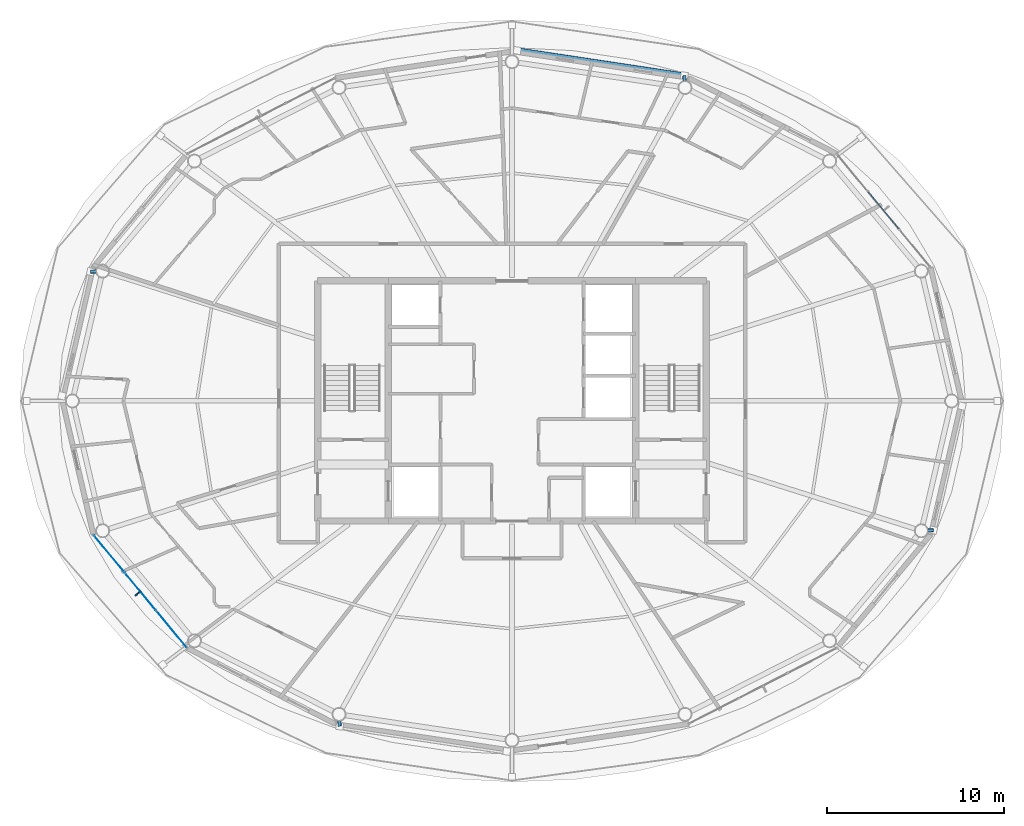
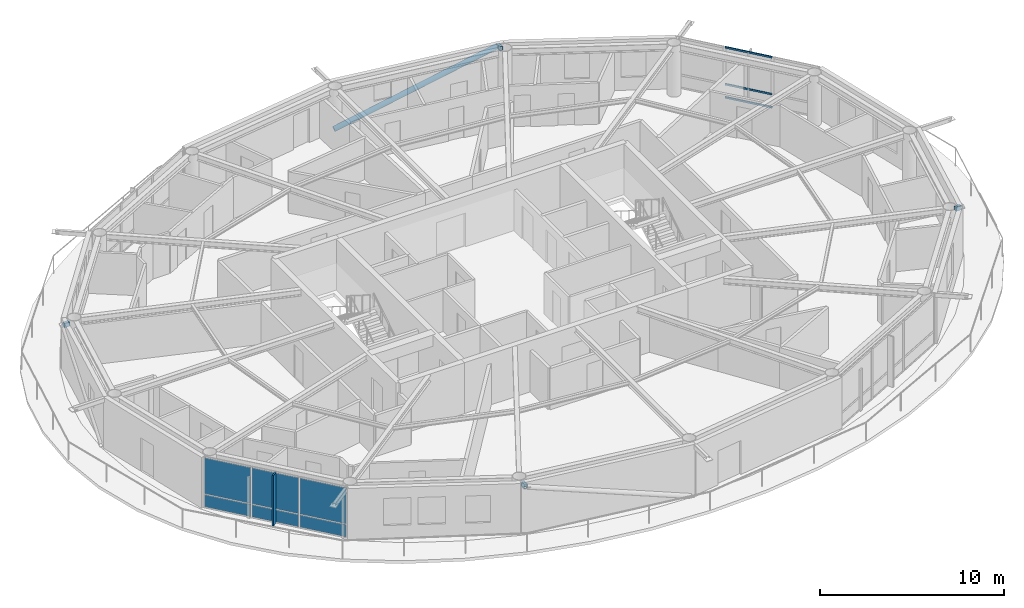
# One storey, part 12 of 22: 8 members, 7 plates, 2 elements without a shape of their own.
"""IFC4 building model written with IfcOpenShell, lengths in metres."""

from ifc_helpers import new_model, si_unit, direction, frame, origin, origin_2d, place, context, subcontext, project, spatial, rectangle, hollow_rectangle, hollow_circle, extrude, material, layer, layer_set, material_profile, profile_set, type_object, element, aggregate, save


model = new_model("IFC4")

# Units and contexts
model_context = context("Model", 3, precision=1e-05, world=origin(), true_north=direction((0.0, 1.0)))
body_context = subcontext(model_context, "Body", "Model", "MODEL_VIEW")
ifc_project = project(units=[si_unit("LENGTHUNIT", "METRE"), si_unit("AREAUNIT", "SQUARE_METRE"), si_unit("VOLUMEUNIT", "CUBIC_METRE"), si_unit("PLANEANGLEUNIT", "RADIAN"), si_unit("MASSUNIT", "GRAM", prefix="KILO")], contexts=[model_context])

# Site, building, storey
site_placement = place(None, origin())
site = spatial("IfcSite", under=ifc_project, at=site_placement, CompositionType="ELEMENT")
building_placement = place(site_placement, origin())
building = spatial("IfcBuilding", under=site, at=building_placement, Name="Sarneth Arch Tower", CompositionType="ELEMENT")
storey_placement = place(building_placement, frame((0.0, 0.0, 283.800048828125)))
storey = spatial("IfcBuildingStorey", under=building, at=storey_placement, Name="L73", CompositionType="ELEMENT", Elevation=283.800048828125)

# Curtain wall, members
ifc_material_1 = material(Name="Anodised aluminium Type AA25 and solar-control low-e laminated IGU", Category="aluminium")
ifc_layer_1 = layer(ifc_material_1, 0.179931640625)
ifc_layer_set_1 = layer_set([ifc_layer_1], Name="Anodised aluminium Type AA25 and solar-control low-e laminated IGU")
curtain_wall_type = type_object("IfcCurtainWallType", Name="CW-RES-HIGH", PredefinedType="NOTDEFINED", material=ifc_layer_set_1)
curtain_wall_1_placement = place(storey_placement, origin())
curtain_wall_1 = element("IfcCurtainWall", 1, at=curtain_wall_1_placement, inside=storey, type_object=curtain_wall_type, Name="L73 Unitised curtain wall facet 02", PredefinedType="NOTDEFINED")
ifc_material_2 = material(Name="Anodised Aluminium 6063-T6", Category="aluminium")
ifc_material_profile_1 = material_profile(ifc_material_2, hollow_rectangle(XDim=0.06005859375, YDim=0.1201171875, WallThickness=0.00390625, at=origin_2d()), Name="AL-TRAN-120x60x4")
ifc_profile_set_1 = profile_set([ifc_material_profile_1], Name="Anodised Aluminium 6063-T6")
member_type_1 = type_object("IfcMemberType", Name="CW-TRANSOM", PredefinedType="USERDEFINED", material=ifc_profile_set_1)
member_1_placement = place(storey_placement, frame((69.904296875, 51.731689453125, 0.030029296875), z_axis=(-0.637617371902, 0.770353222261, 0.0), x_axis=(-0.770353222261, -0.637617371902, 0.0)))
member_1 = element("IfcMember", 2, at=member_1_placement, type_object=member_type_1, Name="CW-SYS-6 transom 2.1", ObjectType="TRANSOM", PredefinedType="USERDEFINED", context=body_context, shape_type="SweptSolid", body=[
    extrude(hollow_rectangle(XDim=0.06005859375, YDim=0.1201171875, WallThickness=0.00390625, at=origin_2d()), origin(), (0.0, 0.0, 1.0), 2.716552734375),
])
member_2_placement = place(storey_placement, frame((69.904296875, 51.731689453125, 0.89990234375), z_axis=(-0.637617371902, 0.770353222261, 0.0), x_axis=(-0.770353222261, -0.637617371902, 0.0)))
member_2 = element("IfcMember", 3, at=member_2_placement, type_object=member_type_1, Name="CW-SYS-6 transom 2.2", ObjectType="TRANSOM", PredefinedType="USERDEFINED", context=body_context, shape_type="SweptSolid", body=[
    extrude(hollow_rectangle(XDim=0.06005859375, YDim=0.1201171875, WallThickness=0.00390625, at=origin_2d()), origin(), (0.0, 0.0, 1.0), 2.716552734375),
])
member_3_placement = place(storey_placement, frame((69.904296875, 51.731689453125, 3.33984375), z_axis=(-0.637617371902, 0.770353222261, 0.0), x_axis=(-0.770353222261, -0.637617371902, 0.0)))
member_3 = element("IfcMember", 4, at=member_3_placement, type_object=member_type_1, Name="CW-SYS-6 transom 2.3", ObjectType="TRANSOM", PredefinedType="USERDEFINED", context=body_context, shape_type="SweptSolid", body=[
    extrude(hollow_rectangle(XDim=0.06005859375, YDim=0.1201171875, WallThickness=0.00390625, at=origin_2d()), origin(), (0.0, 0.0, 1.0), 2.716552734375),
])
aggregate(curtain_wall_1, [member_1, member_2, member_3])

# Members
ifc_material_3 = material(Name="Steel S355", Category="steel")
ifc_material_profile_2 = material_profile(ifc_material_3, hollow_rectangle(XDim=0.199951171875, YDim=0.300048828125, WallThickness=0.012451171875, InnerFilletRadius=0.018798828125, OuterFilletRadius=0.03125, at=origin_2d()), Name="RHS300x200x12.5")
ifc_profile_set_2 = profile_set([ifc_material_profile_2], Name="Steel S355")
member_type_2 = type_object("IfcMemberType", Name="MEM-CANT-STRUT", PredefinedType="STRUT", material=ifc_profile_set_2)
member_4_placement = place(storey_placement, frame((57.772216796875, 60.080810546875, 3.092041015625), z_axis=(-0.054571440387, 0.998509868701, 0.0), x_axis=(-0.998509868701, -0.054571440387, 0.0)))
element("IfcMember", 5, at=member_4_placement, inside=storey, type_object=member_type_2, Name="L73 Exoskeleton brace node strut 04B", PredefinedType="STRUT", context=body_context, shape_type="SweptSolid", body=[
    extrude(hollow_rectangle(XDim=0.199951171875, YDim=0.300048828125, WallThickness=0.012451171875, InnerFilletRadius=0.018798828125, OuterFilletRadius=0.03125, at=origin_2d()), origin(), (0.0, 0.0, 1.0), 0.3310546875),
])
member_5_placement = place(storey_placement, frame((24.488525390625, 49.33154296875, 3.092041015625), z_axis=(-0.998881069959, -0.047292790974, 0.0), x_axis=(0.047292790974, -0.998881069959, 0.0)))
element("IfcMember", 6, at=member_5_placement, inside=storey, type_object=member_type_2, Name="L73 Exoskeleton brace node strut 08B", PredefinedType="STRUT", context=body_context, shape_type="SweptSolid", body=[
    extrude(hollow_rectangle(XDim=0.199951171875, YDim=0.300048828125, WallThickness=0.012451171875, InnerFilletRadius=0.018798828125, OuterFilletRadius=0.03125, at=origin_2d()), origin(), (0.0, 0.0, 1.0), 0.3408203125),
])
member_6_placement = place(storey_placement, frame((38.227783203125, 23.919189453125, 3.092041015625), z_axis=(0.054571440387, -0.998509868701, 0.0), x_axis=(0.998509868701, 0.054571440387, 0.0)))
element("IfcMember", 7, at=member_6_placement, inside=storey, type_object=member_type_2, Name="L73 Exoskeleton brace node strut 12B", PredefinedType="STRUT", context=body_context, shape_type="SweptSolid", body=[
    extrude(hollow_rectangle(XDim=0.199951171875, YDim=0.300048828125, WallThickness=0.012451171875, InnerFilletRadius=0.018798828125, OuterFilletRadius=0.03125, at=origin_2d()), origin(), (0.0, 0.0, 1.0), 0.3310546875),
])
member_7_placement = place(storey_placement, frame((71.511474609375, 34.66845703125, 3.092041015625), z_axis=(0.998881069959, 0.047292790974, 0.0), x_axis=(-0.047292790974, 0.998881069959, 0.0)))
element("IfcMember", 8, at=member_7_placement, inside=storey, type_object=member_type_2, Name="L73 Exoskeleton brace node strut 16B", PredefinedType="STRUT", context=body_context, shape_type="SweptSolid", body=[
    extrude(hollow_rectangle(XDim=0.199951171875, YDim=0.300048828125, WallThickness=0.012451171875, InnerFilletRadius=0.018798828125, OuterFilletRadius=0.03125, at=origin_2d()), origin(), (0.0, 0.0, 1.0), 0.3408203125),
])
ifc_material_4 = material(Name="Steel S355", Category="steel")
ifc_material_profile_3 = material_profile(ifc_material_4, hollow_circle(Radius=0.162109375, WallThickness=0.012451171875, at=origin_2d()), Name="CHS324x12.5")
ifc_profile_set_3 = profile_set([ifc_material_profile_3], Name="Steel S355")
member_type_3 = type_object("IfcMemberType", Name="MEM-DIAG-BR3", PredefinedType="BRACE", material=ifc_profile_set_3)
member_8_placement = place(storey_placement, frame((48.296630859375, 61.83544921875, 0.02001953125), z_axis=(0.941478053537, -0.141763681302, 0.305813886821), x_axis=(0.148897148305, 0.988852688335, 0.0)))
element("IfcMember", 9, at=member_8_placement, inside=storey, type_object=member_type_3, Name="L73 Perimeter frame diagonal 04", PredefinedType="BRACE", context=body_context, shape_type="SweptSolid", body=[
    extrude(hollow_circle(Radius=0.162109375, WallThickness=0.012451171875, at=origin_2d()), origin(), (0.0, 0.0, 1.0), 10.04541015625),
])

# Curtain wall, plates
curtain_wall_2_placement = place(storey_placement, origin())
curtain_wall_2 = element("IfcCurtainWall", 10, at=curtain_wall_2_placement, inside=storey, type_object=curtain_wall_type, Name="L73 Unitised curtain wall facet 10", PredefinedType="NOTDEFINED")
ifc_material_5 = material(Name="Solar-control low-e laminated IGU", Category="glass")
ifc_layer_2 = layer(ifc_material_5, 0.028076171875)
ifc_layer_set_2 = layer_set([ifc_layer_2], Name="Solar-control low-e laminated IGU")
plate_type_1 = type_object("IfcPlateType", Name="CW-PANEL", PredefinedType="CURTAIN_PANEL", material=ifc_layer_set_2)
plate_1_placement = place(storey_placement, frame((25.200927734375, 33.349365234375, 0.059814453125), z_axis=(0.0, 0.0, 1.0), x_axis=(0.637610094184, -0.770359245933, 0.0)))
plate_1 = element("IfcPlate", 11, at=plate_1_placement, type_object=plate_type_1, Name="Curtain wall glazed vision pane CW-L73-F10/P00-00", PredefinedType="CURTAIN_PANEL", context=body_context, shape_type="SweptSolid", body=[
    extrude(rectangle(XDim=2.686767578125, YDim=0.028076171875, at=origin_2d()), origin(), (0.0, 0.0, 1.0), 0.81005859375),
])
plate_2_placement = place(storey_placement, frame((25.200927734375, 33.349365234375, 0.929931640625), z_axis=(0.0, 0.0, 1.0), x_axis=(0.637610094184, -0.770359245933, 0.0)))
plate_2 = element("IfcPlate", 12, at=plate_2_placement, type_object=plate_type_1, Name="Curtain wall glazed vision pane CW-L73-F10/P00-01", PredefinedType="CURTAIN_PANEL", context=body_context, shape_type="SweptSolid", body=[
    extrude(rectangle(XDim=2.686767578125, YDim=0.028076171875, at=origin_2d()), origin(), (0.0, 0.0, 1.0), 2.3798828125),
])
plate_3_placement = place(storey_placement, frame((26.9619140625, 31.221923828125, 0.059814453125), z_axis=(0.0, 0.0, 1.0), x_axis=(0.637610094184, -0.770359245933, 0.0)))
plate_3 = element("IfcPlate", 13, at=plate_3_placement, type_object=plate_type_1, Name="Curtain wall glazed vision pane CW-L73-F10/P01-00", PredefinedType="CURTAIN_PANEL", context=body_context, shape_type="SweptSolid", body=[
    extrude(rectangle(XDim=2.716552734375, YDim=0.028076171875, at=origin_2d()), origin(), (0.0, 0.0, 1.0), 0.81005859375),
])
plate_4_placement = place(storey_placement, frame((26.9619140625, 31.221923828125, 0.929931640625), z_axis=(0.0, 0.0, 1.0), x_axis=(0.637610094184, -0.770359245933, 0.0)))
plate_4 = element("IfcPlate", 14, at=plate_4_placement, type_object=plate_type_1, Name="Curtain wall glazed vision pane CW-L73-F10/P01-01", PredefinedType="CURTAIN_PANEL", context=body_context, shape_type="SweptSolid", body=[
    extrude(rectangle(XDim=2.716552734375, YDim=0.028076171875, at=origin_2d()), origin(), (0.0, 0.0, 1.0), 2.3798828125),
])
plate_5_placement = place(storey_placement, frame((28.72265625, 29.094482421875, 0.059814453125), z_axis=(0.0, 0.0, 1.0), x_axis=(0.637610094184, -0.770359245933, 0.0)))
plate_5 = element("IfcPlate", 15, at=plate_5_placement, type_object=plate_type_1, Name="Curtain wall glazed vision pane CW-L73-F10/P02-00", PredefinedType="CURTAIN_PANEL", context=body_context, shape_type="SweptSolid", body=[
    extrude(rectangle(XDim=2.686767578125, YDim=0.028076171875, at=origin_2d()), origin(), (0.0, 0.0, 1.0), 0.81005859375),
])
plate_6_placement = place(storey_placement, frame((28.72265625, 29.094482421875, 0.929931640625), z_axis=(0.0, 0.0, 1.0), x_axis=(0.637610094184, -0.770359245933, 0.0)))
plate_6 = element("IfcPlate", 16, at=plate_6_placement, type_object=plate_type_1, Name="Curtain wall glazed vision pane CW-L73-F10/P02-01", PredefinedType="CURTAIN_PANEL", context=body_context, shape_type="SweptSolid", body=[
    extrude(rectangle(XDim=2.686767578125, YDim=0.028076171875, at=origin_2d()), origin(), (0.0, 0.0, 1.0), 2.3798828125),
])
aggregate(curtain_wall_2, [plate_1, plate_2, plate_3, plate_4, plate_5, plate_6])

# Plate
ifc_material_6 = material(Name="Extruded glazed terracotta baguette fin on Aluminium 6063-T6 carrier", Category="masonry")
ifc_layer_3 = layer(ifc_material_6, 0.080078125)
ifc_layer_set_3 = layer_set([ifc_layer_3], Name="Extruded glazed terracotta baguette fin on Aluminium 6063-T6 carrier")
plate_type_2 = type_object("IfcPlateType", Name="SHADE-TERRA-FIN", PredefinedType="SHEET", material=ifc_layer_set_3)
plate_7_placement = place(storey_placement, frame((26.830810546875, 31.113525390625, 0.010009765625), z_axis=(0.0, 0.0, 1.0), x_axis=(-0.770401979567, -0.63755845997, 0.0)))
element("IfcPlate", 17, at=plate_7_placement, inside=storey, type_object=plate_type_2, Name="L73 Terracotta vertical shading fin 10", PredefinedType="SHEET", context=body_context, shape_type="SweptSolid", body=[
    extrude(rectangle(XDim=0.419921875, YDim=0.080078125, at=origin_2d()), origin(), (0.0, 0.0, 1.0), 3.35009765625),
])

save(model, "model.ifc")
